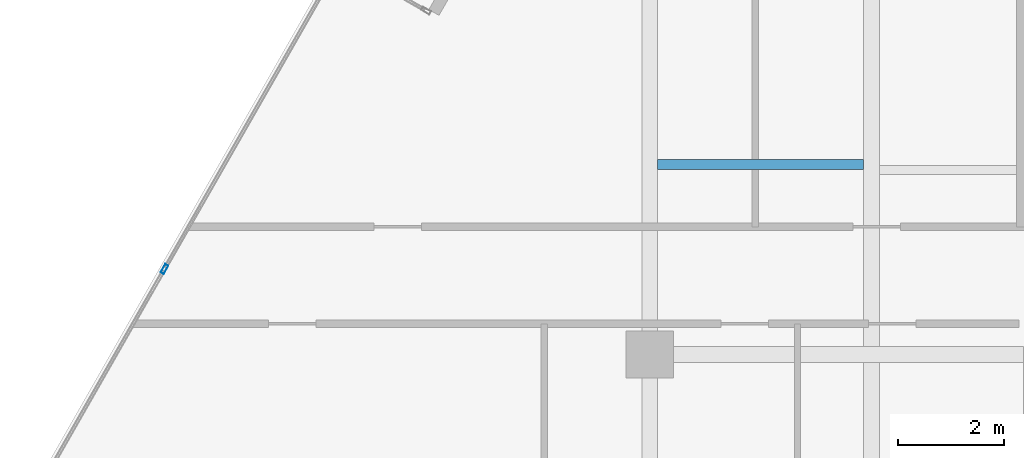
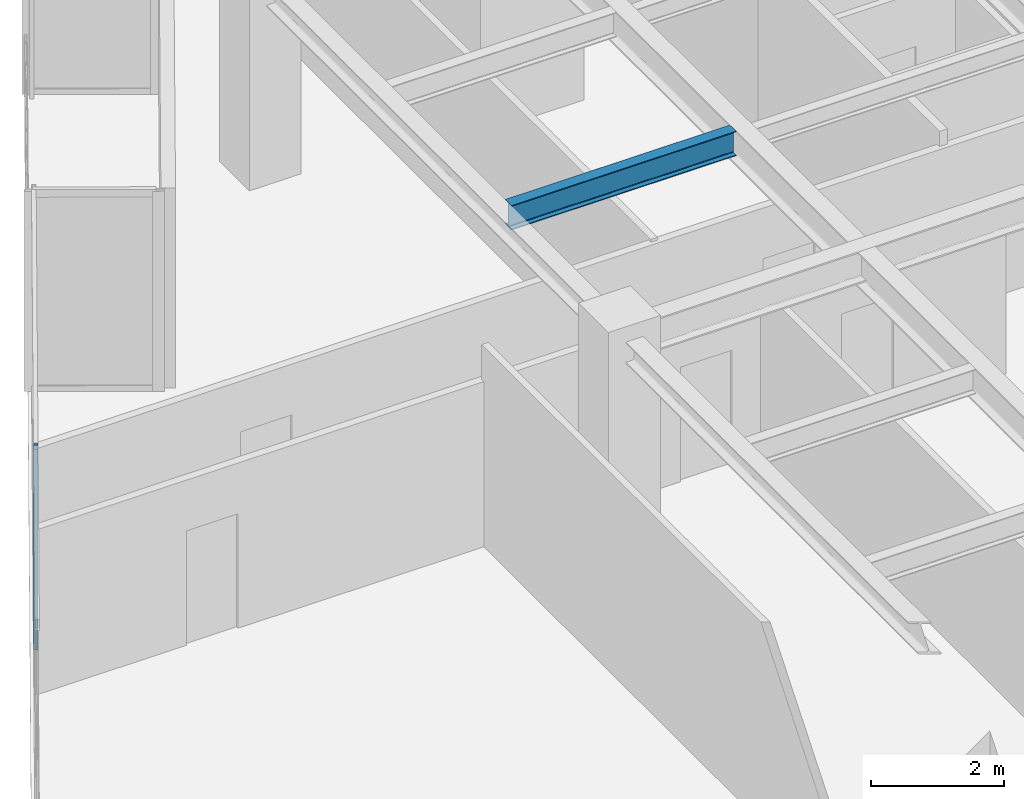
# One storey, part 7 of 24: 1 beam, 1 member, 1 element without a shape of its own.
"""IFC4 building model written with IfcOpenShell, lengths in metres."""

import ifcopenshell
import ifcopenshell.guid

model = None  # the IFC model being written
_history = None  # IfcOwnerHistory: only IFC2X3 demands one
_inside = {}  # id of a spatial element -> (the spatial element, [elements in it])
_under = {}  # id of a project, library or spatial element -> (it, [spatial elements below it])
_declared = {}  # id of a project -> (the project, [libraries it declares])
_typed = {}  # id of a type object -> (the type object, [elements of that type])
_made_of = {}  # id of a material, layer set ... -> (it, [elements and type objects made of it])


def new_model(schema):
    """Start an empty IFC model of exactly this schema.

    Asked for "IFC4X3", IfcOpenShell would pick the latest addendum, in which some entities
    have other attributes; the version numbers below select the first issue.
    IFC2X3 requires an IfcOwnerHistory on every rooted entity: one is made here for all.
    """
    global model, _history
    if schema == "IFC4X3":
        model = ifcopenshell.file(schema_version=(4, 3, 0, 0))
    else:
        model = ifcopenshell.file(schema=schema)
    _inside.clear()
    _under.clear()
    _declared.clear()
    _typed.clear()
    _made_of.clear()
    _history = None
    if model.schema == "IFC2X3":
        org = make("IfcOrganization", Name="unknown")
        user = make(
            "IfcPersonAndOrganization",
            ThePerson=make("IfcPerson", FamilyName="unknown"),
            TheOrganization=org,
        )
        app = make(
            "IfcApplication",
            ApplicationDeveloper=org,
            Version="unknown",
            ApplicationFullName="unknown",
            ApplicationIdentifier="unknown",
        )
        _history = make(
            "IfcOwnerHistory",
            OwningUser=user,
            OwningApplication=app,
            ChangeAction="ADDED",
            CreationDate=0,
        )
    return model


def make(cls, **values):
    """One entity of the class cls with the attributes given. An attribute that is None is left unset."""
    return model.create_entity(
        cls, **{name: value for name, value in values.items() if value is not None}
    )


def rooted(cls, **values):
    """An entity with a GlobalId (a new one), such as an element, a storey or a relation."""
    return make(cls, GlobalId=ifcopenshell.guid.new(), OwnerHistory=_history, **values)


def si_unit(unit_type, name, prefix=None):
    """IfcSIUnit, for example si_unit("LENGTHUNIT", "METRE", prefix="MILLI")."""
    return make("IfcSIUnit", UnitType=unit_type, Prefix=prefix, Name=name)


def assignment(units):
    """IfcUnitAssignment: the units of a project."""
    return None if units is None else make("IfcUnitAssignment", Units=units)


def point(xyz):
    """IfcCartesianPoint."""
    return None if xyz is None else make("IfcCartesianPoint", Coordinates=xyz)


def direction(xyz):
    """IfcDirection."""
    return None if xyz is None else make("IfcDirection", DirectionRatios=xyz)


def frame(location, z_axis=None, x_axis=None):
    """IfcAxis2Placement3D, a coordinate frame: its origin and axes. An axis left out is left unset."""
    return make(
        "IfcAxis2Placement3D",
        Location=point(location),
        Axis=direction(z_axis),
        RefDirection=direction(x_axis),
    )


def frame_2d(location, x_axis=None):
    """IfcAxis2Placement2D, a coordinate frame in the plane: its origin and x axis."""
    return make(
        "IfcAxis2Placement2D", Location=point(location), RefDirection=direction(x_axis)
    )


def origin():
    """The frame at (0, 0, 0) with its axes left unset."""
    return frame((0.0, 0.0, 0.0))


def origin_2d():
    """The frame at (0, 0) in the plane with its x axis left unset."""
    return frame_2d((0.0, 0.0))


def place(relative_to, where):
    """IfcLocalPlacement: puts the frame where relative to a parent placement (None: the world)."""
    return make(
        "IfcLocalPlacement", PlacementRelTo=relative_to, RelativePlacement=where
    )


def context(
    kind, dimensions, precision=None, world=None, true_north=None, identifier=None
):
    """IfcGeometricRepresentationContext, for example the 3D "Model" context."""
    return make(
        "IfcGeometricRepresentationContext",
        ContextIdentifier=identifier,
        ContextType=kind,
        CoordinateSpaceDimension=dimensions,
        Precision=precision,
        WorldCoordinateSystem=world,
        TrueNorth=true_north,
    )


def subcontext(parent, identifier, kind, view, scale=None):
    """IfcGeometricRepresentationSubContext, for example "Body" below "Model"."""
    return make(
        "IfcGeometricRepresentationSubContext",
        ContextIdentifier=identifier,
        ContextType=kind,
        ParentContext=parent,
        TargetScale=scale,
        TargetView=view,
    )


def project(units=None, contexts=None):
    """IfcProject with its units and contexts."""
    return rooted(
        "IfcProject",
        Name="project",
        RepresentationContexts=contexts,
        UnitsInContext=assignment(units),
    )


def spatial(cls, under=None, at=None, **own):
    """A site, building, storey or space (cls), placed at a placement, below another one or the project."""
    s = rooted(cls, ObjectPlacement=at, **own)
    if under is not None:
        _under.setdefault(under.id(), (under, []))[1].append(s)
    return s


def profile(cls, at=None, kind="AREA", **sizes):
    """A parametric profile (cls). Its sizes go by their IFC names, for example OverallWidth=200.0."""
    return make(cls, ProfileType=kind, Position=at, **sizes)


def hollow_rectangle(**sizes):
    """IfcRectangleHollowProfileDef."""
    return profile("IfcRectangleHollowProfileDef", **sizes)


def i_section(**sizes):
    """IfcIShapeProfileDef."""
    return profile("IfcIShapeProfileDef", **sizes)


def extrude(swept, where, along, depth):
    """IfcExtrudedAreaSolid: the profile swept, set in the frame where, extruded along a direction by depth."""
    return make(
        "IfcExtrudedAreaSolid",
        SweptArea=swept,
        Position=where,
        ExtrudedDirection=direction(along),
        Depth=depth,
    )


def shape(context_of_items, identifier, shape_type, items):
    """IfcShapeRepresentation: the items that make up one representation, for example the "Body"."""
    return make(
        "IfcShapeRepresentation",
        ContextOfItems=context_of_items,
        RepresentationIdentifier=identifier,
        RepresentationType=shape_type,
        Items=items,
    )


def source(mapping_origin, context_of_items, identifier, shape_type, items):
    """IfcRepresentationMap: a shape defined once, which mapped items show again and again."""
    return make(
        "IfcRepresentationMap",
        MappingOrigin=mapping_origin,
        MappedRepresentation=shape(context_of_items, identifier, shape_type, items),
    )


def transform(
    local_origin,
    x_axis=None,
    y_axis=None,
    z_axis=None,
    scale=None,
    scale2=None,
    scale3=None,
    uniform=True,
):
    """IfcCartesianTransformationOperator3D, or its non-uniform kind. x_axis, y_axis, z_axis: its Axis1, 2, 3."""
    if uniform:
        return make(
            "IfcCartesianTransformationOperator3D",
            Axis1=direction(x_axis),
            Axis2=direction(y_axis),
            LocalOrigin=point(local_origin),
            Scale=scale,
            Axis3=direction(z_axis),
        )
    return make(
        "IfcCartesianTransformationOperator3DnonUniform",
        Axis1=direction(x_axis),
        Axis2=direction(y_axis),
        LocalOrigin=point(local_origin),
        Scale=scale,
        Axis3=direction(z_axis),
        Scale2=scale2,
        Scale3=scale3,
    )


def mapped(mapping_source, mapping_target):
    """IfcMappedItem: shows the shape of a source again, moved by a transform."""
    return make(
        "IfcMappedItem", MappingSource=mapping_source, MappingTarget=mapping_target
    )


def material(Name=None, Category=None):
    """IfcMaterial."""
    return make("IfcMaterial", Name=Name, Category=Category)


def material_profile(
    of_material, cross_section, Name=None, Category=None, Priority=None
):
    """IfcMaterialProfile: a cross section and its material."""
    return make(
        "IfcMaterialProfile",
        Name=Name,
        Material=of_material,
        Profile=cross_section,
        Priority=Priority,
        Category=Category,
    )


def profile_set(profiles, Name=None, composite=None):
    """IfcMaterialProfileSet."""
    return make(
        "IfcMaterialProfileSet",
        Name=Name,
        MaterialProfiles=profiles,
        CompositeProfile=composite,
    )


def made_of(thing, what):
    """Note that an element or type object is made of a material, layer set ...; save() writes the relation."""
    if what is not None:
        _made_of.setdefault(what.id(), (what, []))[1].append(thing)
    return thing


def type_object(cls, material=None, **own):
    """A type object (cls), such as IfcWallType, which elements share."""
    return made_of(rooted(cls, **own), material)


def type_shapes(of_type, sources):
    """Give a type object the sources (RepresentationMaps) that its elements show as mapped items."""
    of_type.RepresentationMaps = sources


def element(
    cls,
    number,
    at=None,
    inside=None,
    cuts=None,
    type_object=None,
    material=None,
    context=None,
    identifier="Body",
    shape_type=None,
    held_by="IfcProductDefinitionShape",
    body=None,
    shapes=None,
    **own,
):
    """One element of the class cls, such as IfcWall. Its Tag is "e" and its number.

    at: its placement. inside: the storey or other place that contains it. cuts: it is an
    opening in that element (IfcRelVoidsElement). A single representation is given by context,
    identifier, shape_type and body (its items); several are given by shapes. held_by: the class
    of the entity that holds the representations. save() writes the other relations.
    """
    e = rooted(cls, Tag="e%d" % number, ObjectPlacement=at, **own)
    if body is not None:
        shapes = [shape(context, identifier, shape_type, body)]
    if shapes is not None:
        e.Representation = make(held_by, Representations=shapes)
    if inside is not None:
        _inside.setdefault(inside.id(), (inside, []))[1].append(e)
    if cuts is not None:
        rooted(
            "IfcRelVoidsElement", RelatingBuildingElement=cuts, RelatedOpeningElement=e
        )
    if type_object is not None:
        _typed.setdefault(type_object.id(), (type_object, []))[1].append(e)
    return made_of(e, material)


def aggregate(whole, parts):
    """IfcRelAggregates: a whole, such as a stair, and the parts it consists of."""
    return rooted("IfcRelAggregates", RelatingObject=whole, RelatedObjects=parts)


def save(model, path):
    """Write the relations noted so far, then the file.

    IfcRelAggregates (storeys below a building ...), IfcRelContainedInSpatialStructure (elements
    in a storey), IfcRelDefinesByType, IfcRelAssociatesMaterial and IfcRelDeclares: one each for
    every whole, place, type object, material and project.
    """
    for whole, parts in _under.values():
        aggregate(whole, parts)
    for where, things in _inside.values():
        rooted(
            "IfcRelContainedInSpatialStructure",
            RelatedElements=things,
            RelatingStructure=where,
        )
    for kind, things in _typed.values():
        rooted("IfcRelDefinesByType", RelatedObjects=things, RelatingType=kind)
    for what, things in _made_of.values():
        rooted("IfcRelAssociatesMaterial", RelatedObjects=things, RelatingMaterial=what)
    for by, libraries in _declared.values():
        rooted("IfcRelDeclares", RelatingContext=by, RelatedDefinitions=libraries)
    model.write(path)


model = new_model("IFC4")

# Units and contexts
model_context = context("Model", 3, precision=1e-05, world=origin(), true_north=direction((0.0, 1.0)))
body_context = subcontext(model_context, "Body", "Model", "MODEL_VIEW")
ifc_project = project(units=[si_unit("LENGTHUNIT", "METRE"), si_unit("AREAUNIT", "SQUARE_METRE"), si_unit("VOLUMEUNIT", "CUBIC_METRE"), si_unit("PLANEANGLEUNIT", "RADIAN"), si_unit("MASSUNIT", "GRAM", prefix="KILO")], contexts=[model_context])

# Site, building, storey
site_placement = place(None, origin())
site = spatial("IfcSite", under=ifc_project, at=site_placement, CompositionType="ELEMENT")
building_placement = place(site_placement, origin())
building = spatial("IfcBuilding", under=site, at=building_placement, Name="Krantzveldt Concourse Tower", CompositionType="ELEMENT")
storey_placement = place(building_placement, frame((0.0, 0.0, 162.0)))
storey = spatial("IfcBuildingStorey", under=building, at=storey_placement, Name="L39", CompositionType="ELEMENT", Elevation=162.0)

# Beam
ifc_material_1 = material(Name="Steel S355JR", Category="steel")
ifc_material_profile_1 = material_profile(ifc_material_1, i_section(OverallWidth=0.18994140625, OverallDepth=0.449951171875, WebThickness=0.009521484375, FlangeThickness=0.0146484375, FilletRadius=0.02099609375, at=origin_2d()), Name="Steel S355JR", Category="steel")
ifc_profile_set_1 = profile_set([ifc_material_profile_1], Name="Steel S355JR - IPE 450")
beam_type = type_object("IfcBeamType", Name="BM-J-IPE450", PredefinedType="JOIST", material=ifc_profile_set_1)
shared_shape_1 = source(origin(), body_context, "Body", "SweptSolid", [
    extrude(i_section(OverallWidth=0.18994140625, OverallDepth=0.449951171875, WebThickness=0.009521484375, FlangeThickness=0.0146484375, FilletRadius=0.02099609375, at=origin_2d()), origin(), (0.0, 0.0, 1.0), 3.900146484375),
])
type_shapes(beam_type, [shared_shape_1])
beam_placement = place(storey_placement, frame((21.14990234375, 30.300048828125, 3.445068359375), z_axis=(1.0, 0.0, 0.0), x_axis=(0.0, 1.0, 0.0)))
element("IfcBeam", 1, at=beam_placement, inside=storey, type_object=beam_type, Name="L39 Secondary Floor Joist JW-3", PredefinedType="JOIST", context=body_context, shape_type="MappedRepresentation", body=[
    mapped(shared_shape_1, transform((0.0, 0.0, 0.0), x_axis=(1.0, 0.0, 0.0), y_axis=(0.0, 1.0, 0.0), z_axis=(0.0, 0.0, 1.0), scale=1.0)),
])

# Curtain wall, member
ifc_material_2 = material(Name="Anodised aluminium 6063-T6", Category="aluminium")
curtain_wall_type = type_object("IfcCurtainWallType", Name="CW3", PredefinedType="USERDEFINED", material=ifc_material_2)
curtain_wall_placement = place(storey_placement, origin())
curtain_wall = element("IfcCurtainWall", 2, at=curtain_wall_placement, inside=storey, type_object=curtain_wall_type, Name="CW-L39-F05", ObjectType="UNITISED CURTAIN WALL", PredefinedType="USERDEFINED")
ifc_material_profile_2 = material_profile(ifc_material_2, hollow_rectangle(XDim=0.070068359375, YDim=0.179931640625, WallThickness=0.0048828125, at=origin_2d()), Name="Anodised aluminium 6063-T6", Category="aluminium")
ifc_profile_set_2 = profile_set([ifc_material_profile_2], Name="Anodised aluminium 6063-T6 - ALU-MULL 180x70x5")
member_type = type_object("IfcMemberType", Name="CW-MUL-180", PredefinedType="MULLION", material=ifc_profile_set_2)
shared_shape_2 = source(origin(), body_context, "Body", "SweptSolid", [
    extrude(hollow_rectangle(XDim=0.070068359375, YDim=0.179931640625, WallThickness=0.0048828125, at=origin_2d()), origin(), (0.0, 0.0, 1.0), 3.669921875),
])
type_shapes(member_type, [shared_shape_2])
member_placement = place(storey_placement, frame((11.8046875, 28.319580078125, 0.0), z_axis=(0.0, 0.0, 1.0), x_axis=(0.868199066314, -0.496216063073, 0.0)))
member = element("IfcMember", 3, at=member_placement, type_object=member_type, Name="CW-Z34 mullion 2", PredefinedType="MULLION", context=body_context, shape_type="MappedRepresentation", body=[
    mapped(shared_shape_2, transform((0.0, 0.0, 0.0), x_axis=(1.0, 0.0, 0.0), y_axis=(0.0, 1.0, 0.0), z_axis=(0.0, 0.0, 1.0), scale=1.0)),
])
aggregate(curtain_wall, [member])

save(model, "model.ifc")
